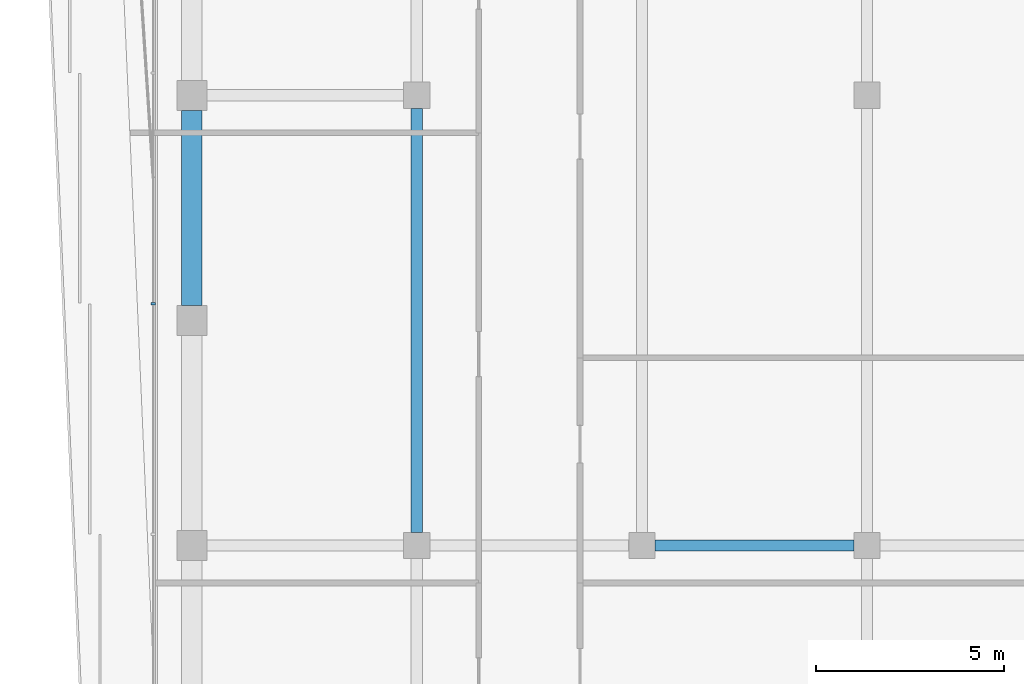
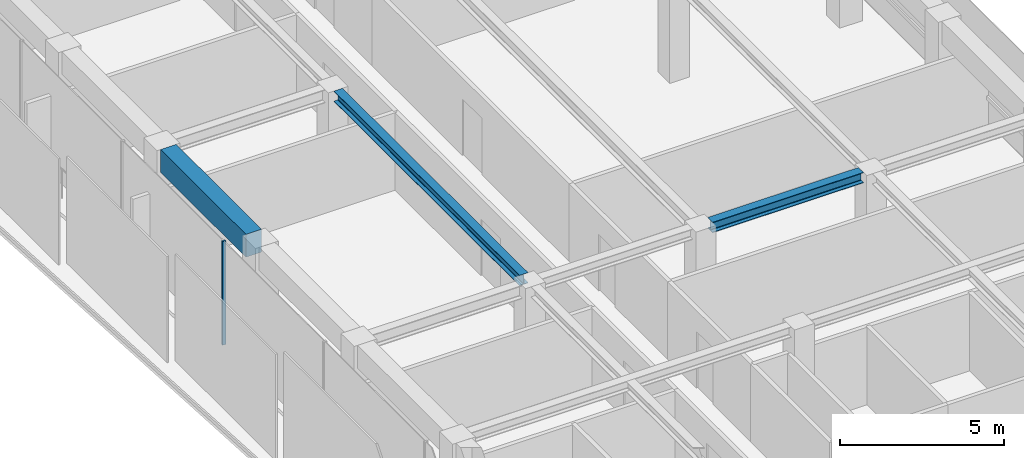
# One storey, part 9 of 21: 3 beams, 1 member, 1 element without a shape of its own.
"""IFC4 building model written with IfcOpenShell, lengths in metres."""

from ifc_helpers import new_model, si_unit, direction, frame, origin, origin_2d, place, context, subcontext, project, spatial, rectangle, i_section, extrude, material, layer, layer_set, material_profile, profile_set, type_object, element, aggregate, save


model = new_model("IFC4")

# Units and contexts
model_context = context("Model", 3, precision=1e-05, world=origin(), true_north=direction((0.0, 1.0)))
body_context = subcontext(model_context, "Body", "Model", "MODEL_VIEW")
ifc_project = project(units=[si_unit("LENGTHUNIT", "METRE"), si_unit("AREAUNIT", "SQUARE_METRE"), si_unit("VOLUMEUNIT", "CUBIC_METRE"), si_unit("PLANEANGLEUNIT", "RADIAN"), si_unit("MASSUNIT", "GRAM", prefix="KILO")], contexts=[model_context])

# Site, building, storey
site_placement = place(None, origin())
site = spatial("IfcSite", under=ifc_project, at=site_placement, CompositionType="ELEMENT")
building_placement = place(site_placement, origin())
building = spatial("IfcBuilding", under=site, at=building_placement, Name="Welwitschia Terrace Campus", CompositionType="ELEMENT")
storey_placement = place(building_placement, frame((0.0, 0.0, 218.0)))
storey = spatial("IfcBuildingStorey", under=building, at=storey_placement, Name="L48", CompositionType="ELEMENT", Elevation=218.0)

# Beams
ifc_material_1 = material(Name="Steel S355", Category="steel")
ifc_material_profile_1 = material_profile(ifc_material_1, i_section(OverallWidth=0.300048828125, OverallDepth=0.389892578125, WebThickness=0.010986328125, FlangeThickness=0.01904296875, FilletRadius=0.027099609375, at=origin_2d()))
ifc_profile_set_1 = profile_set([ifc_material_profile_1], Name="Steel S355")
beam_type_1 = type_object("IfcBeamType", Name="Interior girder HE 400 A", PredefinedType="BEAM", material=ifc_profile_set_1)
beam_1_placement = place(storey_placement, frame((12.3505859375, 40.0, 3.655029296875), z_axis=(1.0, 0.0, 0.0), x_axis=(0.0, 1.0, 0.0)))
element("IfcBeam", 1, at=beam_1_placement, inside=storey, type_object=beam_type_1, Name="Girder GB5", PredefinedType="BEAM", context=body_context, shape_type="SweptSolid", body=[
    extrude(i_section(OverallWidth=0.300048828125, OverallDepth=0.389892578125, WebThickness=0.010986328125, FlangeThickness=0.01904296875, FilletRadius=0.027099609375, at=origin_2d()), origin(), (0.0, 0.0, 1.0), 5.298828125),
])
beam_2_placement = place(storey_placement, frame((6.0, 40.3505859375, 3.655029296875), z_axis=(0.0, 1.0, 0.0), x_axis=(-1.0, 0.0, 0.0)))
element("IfcBeam", 2, at=beam_2_placement, inside=storey, type_object=beam_type_1, Name="Girder GB5", PredefinedType="BEAM", context=body_context, shape_type="SweptSolid", body=[
    extrude(i_section(OverallWidth=0.300048828125, OverallDepth=0.389892578125, WebThickness=0.010986328125, FlangeThickness=0.01904296875, FilletRadius=0.027099609375, at=origin_2d()), origin(), (0.0, 0.0, 1.0), 11.298828125),
])

# Curtain wall, member
ifc_material_2 = material(Name="Bronze anodised aluminium", Category="aluminium")
ifc_layer = layer(ifc_material_2, 0.1201171875)
ifc_layer_set = layer_set([ifc_layer], Name="Bronze anodised aluminium")
curtain_wall_type = type_object("IfcCurtainWallType", Name="Curtain wall CW2 tower 6000", PredefinedType="NOTDEFINED", material=ifc_layer_set)
curtain_wall_placement = place(storey_placement, origin())
curtain_wall = element("IfcCurtainWall", 3, at=curtain_wall_placement, inside=storey, type_object=curtain_wall_type, Name="CW L48.9.0", PredefinedType="NOTDEFINED")
ifc_material_3 = material(Name="Bronze anodised aluminium", Category="aluminium")
ifc_material_profile_2 = material_profile(ifc_material_3, rectangle(XDim=0.1201171875, YDim=0.06005859375, at=origin_2d()))
ifc_profile_set_2 = profile_set([ifc_material_profile_2], Name="Bronze anodised aluminium")
member_type = type_object("IfcMemberType", Name="Mullion 60x120", PredefinedType="MULLION", material=ifc_profile_set_2)
member_placement = place(storey_placement, frame((-1.030029296875, 46.447265625, 0.0), z_axis=(0.0, 0.0, 1.0), x_axis=(1.0, 0.0, 0.0)))
member = element("IfcMember", 4, at=member_placement, type_object=member_type, Name="Mullion L48.9.0.4", PredefinedType="MULLION", context=body_context, shape_type="SweptSolid", body=[
    extrude(rectangle(XDim=0.1201171875, YDim=0.06005859375, at=origin_2d()), origin(), (0.0, 0.0, 1.0), 3.85009765625),
])
aggregate(curtain_wall, [member])

# Beam
ifc_material_4 = material(Name="Concrete C50/60", Category="concrete")
ifc_material_profile_3 = material_profile(ifc_material_4, rectangle(XDim=0.550048828125, YDim=0.85009765625, at=origin_2d()))
ifc_profile_set_3 = profile_set([ifc_material_profile_3], Name="Concrete C50/60")
beam_type_2 = type_object("IfcBeamType", Name="Ring spandrel 550x850", PredefinedType="SPANDREL", material=ifc_profile_set_3)
beam_3_placement = place(storey_placement, frame((0.0, 51.599609375, 3.425048828125), z_axis=(0.0, -1.0, 0.0), x_axis=(1.0, 0.0, 0.0)))
element("IfcBeam", 5, at=beam_3_placement, inside=storey, type_object=beam_type_2, Name="Spandrel SP3", PredefinedType="SPANDREL", context=body_context, shape_type="SweptSolid", body=[
    extrude(rectangle(XDim=0.550048828125, YDim=0.85009765625, at=origin_2d()), origin(), (0.0, 0.0, 1.0), 5.19921875),
])

save(model, "model.ifc")
